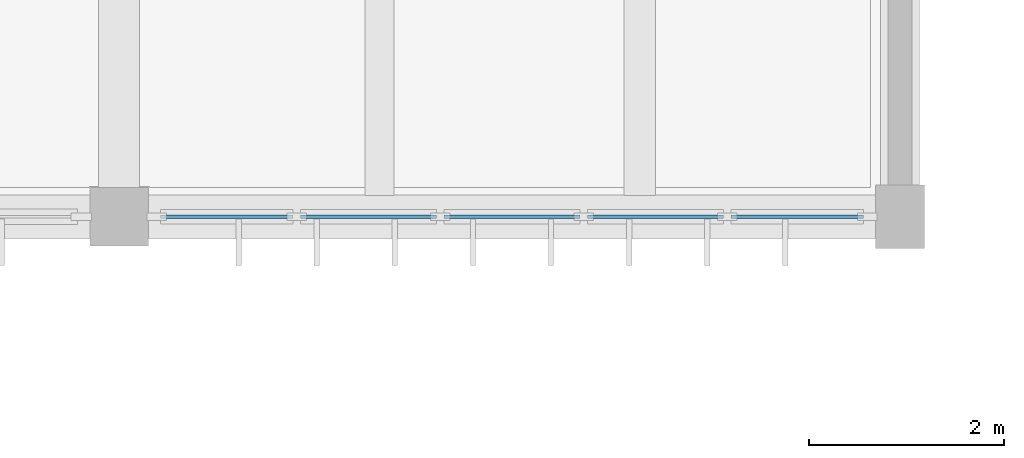
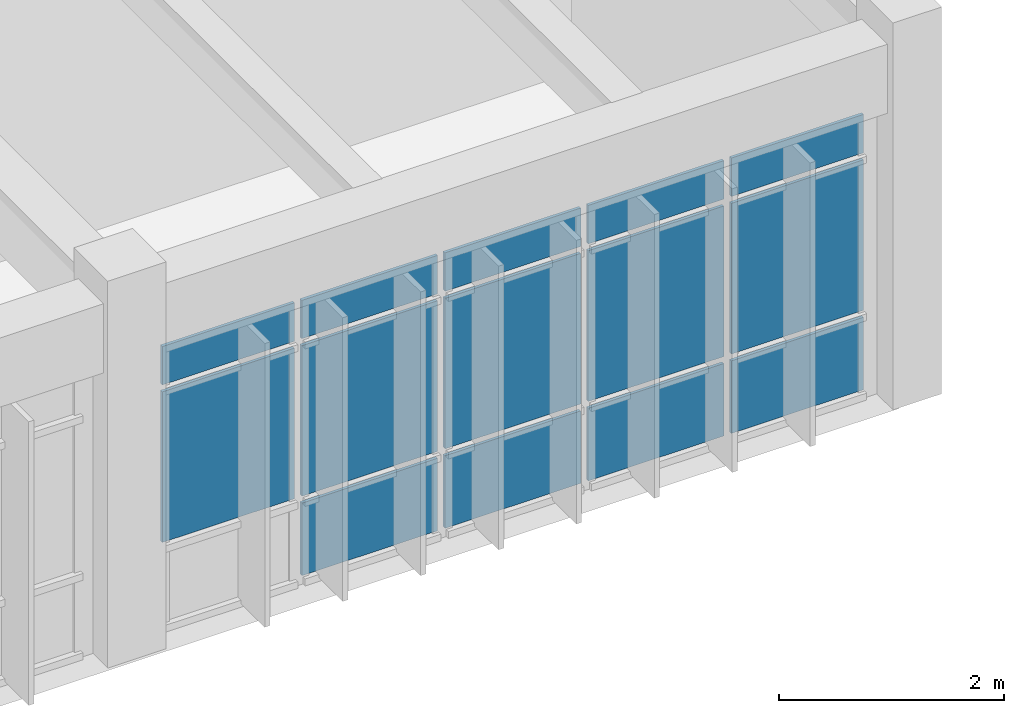
# One storey, part 39 of 67: 14 plates, 1 element without a shape of its own.
"""IFC4 building model written with IfcOpenShell, lengths in metres."""

from ifc_helpers import new_model, si_unit, direction, frame, origin, origin_2d, place, context, subcontext, project, spatial, rectangle, extrude, material, layer, layer_set, type_object, element, aggregate, save


model = new_model("IFC4")

# Units and contexts
model_context = context("Model", 3, precision=1e-05, world=origin(), true_north=direction((0.0, 1.0)))
body_context = subcontext(model_context, "Body", "Model", "MODEL_VIEW")
ifc_project = project(units=[si_unit("LENGTHUNIT", "METRE"), si_unit("AREAUNIT", "SQUARE_METRE"), si_unit("VOLUMEUNIT", "CUBIC_METRE"), si_unit("PLANEANGLEUNIT", "RADIAN"), si_unit("MASSUNIT", "GRAM", prefix="KILO")], contexts=[model_context])

# Site, building, storey
site_placement = place(None, origin())
site = spatial("IfcSite", under=ifc_project, at=site_placement, CompositionType="ELEMENT")
building_placement = place(site_placement, origin())
building = spatial("IfcBuilding", under=site, at=building_placement, Name="Tlaxcora Railside Police Headquarters", CompositionType="ELEMENT")
storey_placement = place(building_placement, frame((0.0, 0.0, 4.800048828125)))
storey = spatial("IfcBuildingStorey", under=building, at=storey_placement, Name="L01", CompositionType="ELEMENT", Elevation=4.800048828125)

# Curtain wall, plates
ifc_material = material(Name="Thermally broken low-E insulated glazing", Category="glass")
curtain_wall_type = type_object("IfcCurtainWallType", Name="Unitised Curtain Wall Assembly CW-15", PredefinedType="NOTDEFINED", material=ifc_material)
curtain_wall_placement = place(storey_placement, origin())
curtain_wall = element("IfcCurtainWall", 1, at=curtain_wall_placement, inside=storey, type_object=curtain_wall_type, Name="V6 L01 curtain wall 150", PredefinedType="NOTDEFINED")
ifc_layer = layer(ifc_material, 0.031982421875, Name="Thermally broken low-E insulated glazing")
ifc_layer_set = layer_set([ifc_layer], Name="Thermally broken low-E insulated glazing")
plate_type = type_object("IfcPlateType", Name="Curtain Wall Infill Panel CW-41", PredefinedType="CURTAIN_PANEL", material=ifc_layer_set)
plate_1_placement = place(storey_placement, frame((151.90380859375, 76.800048828125, 0.9375), z_axis=(0.0, 0.0, 1.0), x_axis=(1.0, 0.0, 0.0)))
plate_1 = element("IfcPlate", 2, at=plate_1_placement, type_object=plate_type, Name="CW panel 1.2", PredefinedType="CURTAIN_PANEL", context=body_context, shape_type="SweptSolid", body=[
    extrude(rectangle(XDim=1.357421875, YDim=0.031982421875, at=origin_2d()), origin(), (0.0, 0.0, 1.0), 1.635009765625),
])
plate_2_placement = place(storey_placement, frame((151.90380859375, 76.800048828125, 2.6474609375), z_axis=(0.0, 0.0, 1.0), x_axis=(1.0, 0.0, 0.0)))
plate_2 = element("IfcPlate", 3, at=plate_2_placement, type_object=plate_type, Name="CW panel 1.3", PredefinedType="CURTAIN_PANEL", context=body_context, shape_type="SweptSolid", body=[
    extrude(rectangle(XDim=1.357421875, YDim=0.031982421875, at=origin_2d()), origin(), (0.0, 0.0, 1.0), 0.41748046875),
])
plate_3_placement = place(storey_placement, frame((153.35498046875, 76.800048828125, 0.074951171875), z_axis=(0.0, 0.0, 1.0), x_axis=(1.0, 0.0, 0.0)))
plate_3 = element("IfcPlate", 4, at=plate_3_placement, type_object=plate_type, Name="CW panel 2.1", PredefinedType="CURTAIN_PANEL", context=body_context, shape_type="SweptSolid", body=[
    extrude(rectangle(XDim=1.39501953125, YDim=0.031982421875, at=origin_2d()), origin(), (0.0, 0.0, 1.0), 0.78759765625),
])
plate_4_placement = place(storey_placement, frame((153.35498046875, 76.800048828125, 0.9375), z_axis=(0.0, 0.0, 1.0), x_axis=(1.0, 0.0, 0.0)))
plate_4 = element("IfcPlate", 5, at=plate_4_placement, type_object=plate_type, Name="CW panel 2.2", PredefinedType="CURTAIN_PANEL", context=body_context, shape_type="SweptSolid", body=[
    extrude(rectangle(XDim=1.39501953125, YDim=0.031982421875, at=origin_2d()), origin(), (0.0, 0.0, 1.0), 1.635009765625),
])
plate_5_placement = place(storey_placement, frame((153.35498046875, 76.800048828125, 2.6474609375), z_axis=(0.0, 0.0, 1.0), x_axis=(1.0, 0.0, 0.0)))
plate_5 = element("IfcPlate", 6, at=plate_5_placement, type_object=plate_type, Name="CW panel 2.3", PredefinedType="CURTAIN_PANEL", context=body_context, shape_type="SweptSolid", body=[
    extrude(rectangle(XDim=1.39501953125, YDim=0.031982421875, at=origin_2d()), origin(), (0.0, 0.0, 1.0), 0.41748046875),
])
plate_6_placement = place(storey_placement, frame((154.824951171875, 76.800048828125, 0.074951171875), z_axis=(0.0, 0.0, 1.0), x_axis=(1.0, 0.0, 0.0)))
plate_6 = element("IfcPlate", 7, at=plate_6_placement, type_object=plate_type, Name="CW panel 3.1", PredefinedType="CURTAIN_PANEL", context=body_context, shape_type="SweptSolid", body=[
    extrude(rectangle(XDim=1.39501953125, YDim=0.031982421875, at=origin_2d()), origin(), (0.0, 0.0, 1.0), 0.78759765625),
])
plate_7_placement = place(storey_placement, frame((154.824951171875, 76.800048828125, 0.9375), z_axis=(0.0, 0.0, 1.0), x_axis=(1.0, 0.0, 0.0)))
plate_7 = element("IfcPlate", 8, at=plate_7_placement, type_object=plate_type, Name="CW panel 3.2", PredefinedType="CURTAIN_PANEL", context=body_context, shape_type="SweptSolid", body=[
    extrude(rectangle(XDim=1.39501953125, YDim=0.031982421875, at=origin_2d()), origin(), (0.0, 0.0, 1.0), 1.635009765625),
])
plate_8_placement = place(storey_placement, frame((154.824951171875, 76.800048828125, 2.6474609375), z_axis=(0.0, 0.0, 1.0), x_axis=(1.0, 0.0, 0.0)))
plate_8 = element("IfcPlate", 9, at=plate_8_placement, type_object=plate_type, Name="CW panel 3.3", PredefinedType="CURTAIN_PANEL", context=body_context, shape_type="SweptSolid", body=[
    extrude(rectangle(XDim=1.39501953125, YDim=0.031982421875, at=origin_2d()), origin(), (0.0, 0.0, 1.0), 0.41748046875),
])
plate_9_placement = place(storey_placement, frame((156.294921875, 76.800048828125, 0.074951171875), z_axis=(0.0, 0.0, 1.0), x_axis=(1.0, 0.0, 0.0)))
plate_9 = element("IfcPlate", 10, at=plate_9_placement, type_object=plate_type, Name="CW panel 4.1", PredefinedType="CURTAIN_PANEL", context=body_context, shape_type="SweptSolid", body=[
    extrude(rectangle(XDim=1.39501953125, YDim=0.031982421875, at=origin_2d()), origin(), (0.0, 0.0, 1.0), 0.78759765625),
])
plate_10_placement = place(storey_placement, frame((156.294921875, 76.800048828125, 0.9375), z_axis=(0.0, 0.0, 1.0), x_axis=(1.0, 0.0, 0.0)))
plate_10 = element("IfcPlate", 11, at=plate_10_placement, type_object=plate_type, Name="CW panel 4.2", PredefinedType="CURTAIN_PANEL", context=body_context, shape_type="SweptSolid", body=[
    extrude(rectangle(XDim=1.39501953125, YDim=0.031982421875, at=origin_2d()), origin(), (0.0, 0.0, 1.0), 1.635009765625),
])
plate_11_placement = place(storey_placement, frame((156.294921875, 76.800048828125, 2.6474609375), z_axis=(0.0, 0.0, 1.0), x_axis=(1.0, 0.0, 0.0)))
plate_11 = element("IfcPlate", 12, at=plate_11_placement, type_object=plate_type, Name="CW panel 4.3", PredefinedType="CURTAIN_PANEL", context=body_context, shape_type="SweptSolid", body=[
    extrude(rectangle(XDim=1.39501953125, YDim=0.031982421875, at=origin_2d()), origin(), (0.0, 0.0, 1.0), 0.41748046875),
])
plate_12_placement = place(storey_placement, frame((157.746337890625, 76.800048828125, 0.074951171875), z_axis=(0.0, 0.0, 1.0), x_axis=(1.0, 0.0, 0.0)))
plate_12 = element("IfcPlate", 13, at=plate_12_placement, type_object=plate_type, Name="CW panel 5.1", PredefinedType="CURTAIN_PANEL", context=body_context, shape_type="SweptSolid", body=[
    extrude(rectangle(XDim=1.357421875, YDim=0.031982421875, at=origin_2d()), origin(), (0.0, 0.0, 1.0), 0.78759765625),
])
plate_13_placement = place(storey_placement, frame((157.746337890625, 76.800048828125, 0.9375), z_axis=(0.0, 0.0, 1.0), x_axis=(1.0, 0.0, 0.0)))
plate_13 = element("IfcPlate", 14, at=plate_13_placement, type_object=plate_type, Name="CW panel 5.2", PredefinedType="CURTAIN_PANEL", context=body_context, shape_type="SweptSolid", body=[
    extrude(rectangle(XDim=1.357421875, YDim=0.031982421875, at=origin_2d()), origin(), (0.0, 0.0, 1.0), 1.635009765625),
])
plate_14_placement = place(storey_placement, frame((157.746337890625, 76.800048828125, 2.6474609375), z_axis=(0.0, 0.0, 1.0), x_axis=(1.0, 0.0, 0.0)))
plate_14 = element("IfcPlate", 15, at=plate_14_placement, type_object=plate_type, Name="CW panel 5.3", PredefinedType="CURTAIN_PANEL", context=body_context, shape_type="SweptSolid", body=[
    extrude(rectangle(XDim=1.357421875, YDim=0.031982421875, at=origin_2d()), origin(), (0.0, 0.0, 1.0), 0.41748046875),
])
aggregate(curtain_wall, [plate_1, plate_2, plate_3, plate_4, plate_5, plate_6, plate_7, plate_8, plate_9, plate_10, plate_11, plate_12, plate_13, plate_14])

save(model, "model.ifc")
